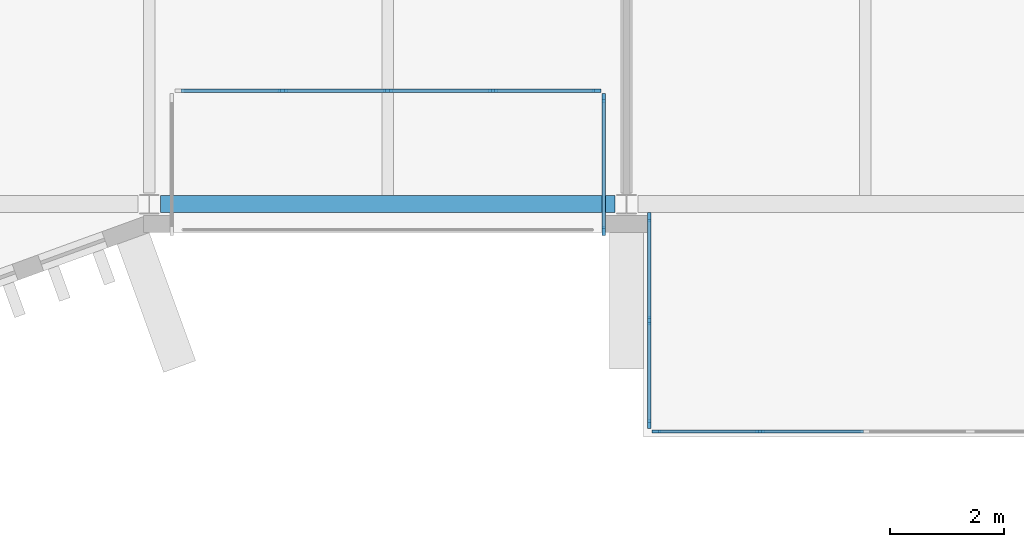
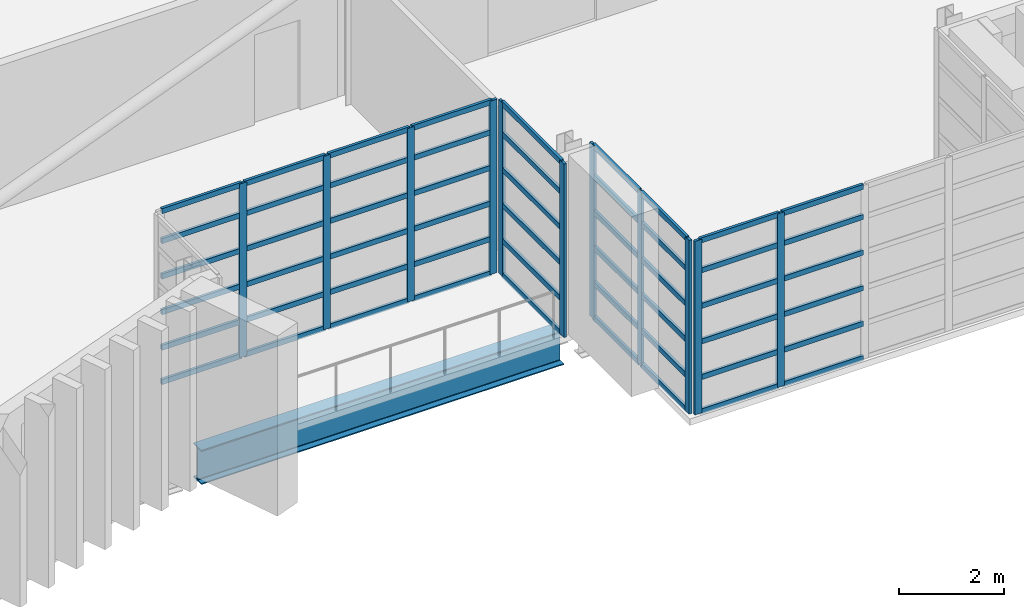
# One storey, part 36 of 96: 65 members, 1 beam, 4 elements without a shape of their own.
"""IFC4 building model written with IfcOpenShell, lengths in metres."""

import ifcopenshell
import ifcopenshell.guid

model = None  # the IFC model being written
_history = None  # IfcOwnerHistory: only IFC2X3 demands one
_inside = {}  # id of a spatial element -> (the spatial element, [elements in it])
_under = {}  # id of a project, library or spatial element -> (it, [spatial elements below it])
_declared = {}  # id of a project -> (the project, [libraries it declares])
_typed = {}  # id of a type object -> (the type object, [elements of that type])
_made_of = {}  # id of a material, layer set ... -> (it, [elements and type objects made of it])


def new_model(schema):
    """Start an empty IFC model of exactly this schema.

    Asked for "IFC4X3", IfcOpenShell would pick the latest addendum, in which some entities
    have other attributes; the version numbers below select the first issue.
    IFC2X3 requires an IfcOwnerHistory on every rooted entity: one is made here for all.
    """
    global model, _history
    if schema == "IFC4X3":
        model = ifcopenshell.file(schema_version=(4, 3, 0, 0))
    else:
        model = ifcopenshell.file(schema=schema)
    _inside.clear()
    _under.clear()
    _declared.clear()
    _typed.clear()
    _made_of.clear()
    _history = None
    if model.schema == "IFC2X3":
        org = make("IfcOrganization", Name="unknown")
        user = make(
            "IfcPersonAndOrganization",
            ThePerson=make("IfcPerson", FamilyName="unknown"),
            TheOrganization=org,
        )
        app = make(
            "IfcApplication",
            ApplicationDeveloper=org,
            Version="unknown",
            ApplicationFullName="unknown",
            ApplicationIdentifier="unknown",
        )
        _history = make(
            "IfcOwnerHistory",
            OwningUser=user,
            OwningApplication=app,
            ChangeAction="ADDED",
            CreationDate=0,
        )
    return model


def make(cls, **values):
    """One entity of the class cls with the attributes given. An attribute that is None is left unset."""
    return model.create_entity(
        cls, **{name: value for name, value in values.items() if value is not None}
    )


def rooted(cls, **values):
    """An entity with a GlobalId (a new one), such as an element, a storey or a relation."""
    return make(cls, GlobalId=ifcopenshell.guid.new(), OwnerHistory=_history, **values)


def si_unit(unit_type, name, prefix=None):
    """IfcSIUnit, for example si_unit("LENGTHUNIT", "METRE", prefix="MILLI")."""
    return make("IfcSIUnit", UnitType=unit_type, Prefix=prefix, Name=name)


def assignment(units):
    """IfcUnitAssignment: the units of a project."""
    return None if units is None else make("IfcUnitAssignment", Units=units)


def point(xyz):
    """IfcCartesianPoint."""
    return None if xyz is None else make("IfcCartesianPoint", Coordinates=xyz)


def direction(xyz):
    """IfcDirection."""
    return None if xyz is None else make("IfcDirection", DirectionRatios=xyz)


def frame(location, z_axis=None, x_axis=None):
    """IfcAxis2Placement3D, a coordinate frame: its origin and axes. An axis left out is left unset."""
    return make(
        "IfcAxis2Placement3D",
        Location=point(location),
        Axis=direction(z_axis),
        RefDirection=direction(x_axis),
    )


def frame_2d(location, x_axis=None):
    """IfcAxis2Placement2D, a coordinate frame in the plane: its origin and x axis."""
    return make(
        "IfcAxis2Placement2D", Location=point(location), RefDirection=direction(x_axis)
    )


def origin():
    """The frame at (0, 0, 0) with its axes left unset."""
    return frame((0.0, 0.0, 0.0))


def origin_2d():
    """The frame at (0, 0) in the plane with its x axis left unset."""
    return frame_2d((0.0, 0.0))


def place(relative_to, where):
    """IfcLocalPlacement: puts the frame where relative to a parent placement (None: the world)."""
    return make(
        "IfcLocalPlacement", PlacementRelTo=relative_to, RelativePlacement=where
    )


def context(
    kind, dimensions, precision=None, world=None, true_north=None, identifier=None
):
    """IfcGeometricRepresentationContext, for example the 3D "Model" context."""
    return make(
        "IfcGeometricRepresentationContext",
        ContextIdentifier=identifier,
        ContextType=kind,
        CoordinateSpaceDimension=dimensions,
        Precision=precision,
        WorldCoordinateSystem=world,
        TrueNorth=true_north,
    )


def subcontext(parent, identifier, kind, view, scale=None):
    """IfcGeometricRepresentationSubContext, for example "Body" below "Model"."""
    return make(
        "IfcGeometricRepresentationSubContext",
        ContextIdentifier=identifier,
        ContextType=kind,
        ParentContext=parent,
        TargetScale=scale,
        TargetView=view,
    )


def project(units=None, contexts=None):
    """IfcProject with its units and contexts."""
    return rooted(
        "IfcProject",
        Name="project",
        RepresentationContexts=contexts,
        UnitsInContext=assignment(units),
    )


def spatial(cls, under=None, at=None, **own):
    """A site, building, storey or space (cls), placed at a placement, below another one or the project."""
    s = rooted(cls, ObjectPlacement=at, **own)
    if under is not None:
        _under.setdefault(under.id(), (under, []))[1].append(s)
    return s


def profile(cls, at=None, kind="AREA", **sizes):
    """A parametric profile (cls). Its sizes go by their IFC names, for example OverallWidth=200.0."""
    return make(cls, ProfileType=kind, Position=at, **sizes)


def rectangle(**sizes):
    """IfcRectangleProfileDef."""
    return profile("IfcRectangleProfileDef", **sizes)


def i_section(**sizes):
    """IfcIShapeProfileDef."""
    return profile("IfcIShapeProfileDef", **sizes)


def extrude(swept, where, along, depth):
    """IfcExtrudedAreaSolid: the profile swept, set in the frame where, extruded along a direction by depth."""
    return make(
        "IfcExtrudedAreaSolid",
        SweptArea=swept,
        Position=where,
        ExtrudedDirection=direction(along),
        Depth=depth,
    )


def shape(context_of_items, identifier, shape_type, items):
    """IfcShapeRepresentation: the items that make up one representation, for example the "Body"."""
    return make(
        "IfcShapeRepresentation",
        ContextOfItems=context_of_items,
        RepresentationIdentifier=identifier,
        RepresentationType=shape_type,
        Items=items,
    )


def material(Name=None, Category=None):
    """IfcMaterial."""
    return make("IfcMaterial", Name=Name, Category=Category)


def layer(
    of_material, thickness, ventilated=None, Name=None, Category=None, Priority=None
):
    """IfcMaterialLayer: one layer of a wall or slab, of a material (None: an air gap)."""
    return make(
        "IfcMaterialLayer",
        Material=of_material,
        LayerThickness=thickness,
        IsVentilated=ventilated,
        Name=Name,
        Category=Category,
        Priority=Priority,
    )


def layer_set(layers, Name=None):
    """IfcMaterialLayerSet."""
    return make("IfcMaterialLayerSet", MaterialLayers=layers, LayerSetName=Name)


def material_profile(
    of_material, cross_section, Name=None, Category=None, Priority=None
):
    """IfcMaterialProfile: a cross section and its material."""
    return make(
        "IfcMaterialProfile",
        Name=Name,
        Material=of_material,
        Profile=cross_section,
        Priority=Priority,
        Category=Category,
    )


def profile_set(profiles, Name=None, composite=None):
    """IfcMaterialProfileSet."""
    return make(
        "IfcMaterialProfileSet",
        Name=Name,
        MaterialProfiles=profiles,
        CompositeProfile=composite,
    )


def made_of(thing, what):
    """Note that an element or type object is made of a material, layer set ...; save() writes the relation."""
    if what is not None:
        _made_of.setdefault(what.id(), (what, []))[1].append(thing)
    return thing


def type_object(cls, material=None, **own):
    """A type object (cls), such as IfcWallType, which elements share."""
    return made_of(rooted(cls, **own), material)


def element(
    cls,
    number,
    at=None,
    inside=None,
    cuts=None,
    type_object=None,
    material=None,
    context=None,
    identifier="Body",
    shape_type=None,
    held_by="IfcProductDefinitionShape",
    body=None,
    shapes=None,
    **own,
):
    """One element of the class cls, such as IfcWall. Its Tag is "e" and its number.

    at: its placement. inside: the storey or other place that contains it. cuts: it is an
    opening in that element (IfcRelVoidsElement). A single representation is given by context,
    identifier, shape_type and body (its items); several are given by shapes. held_by: the class
    of the entity that holds the representations. save() writes the other relations.
    """
    e = rooted(cls, Tag="e%d" % number, ObjectPlacement=at, **own)
    if body is not None:
        shapes = [shape(context, identifier, shape_type, body)]
    if shapes is not None:
        e.Representation = make(held_by, Representations=shapes)
    if inside is not None:
        _inside.setdefault(inside.id(), (inside, []))[1].append(e)
    if cuts is not None:
        rooted(
            "IfcRelVoidsElement", RelatingBuildingElement=cuts, RelatedOpeningElement=e
        )
    if type_object is not None:
        _typed.setdefault(type_object.id(), (type_object, []))[1].append(e)
    return made_of(e, material)


def aggregate(whole, parts):
    """IfcRelAggregates: a whole, such as a stair, and the parts it consists of."""
    return rooted("IfcRelAggregates", RelatingObject=whole, RelatedObjects=parts)


def save(model, path):
    """Write the relations noted so far, then the file.

    IfcRelAggregates (storeys below a building ...), IfcRelContainedInSpatialStructure (elements
    in a storey), IfcRelDefinesByType, IfcRelAssociatesMaterial and IfcRelDeclares: one each for
    every whole, place, type object, material and project.
    """
    for whole, parts in _under.values():
        aggregate(whole, parts)
    for where, things in _inside.values():
        rooted(
            "IfcRelContainedInSpatialStructure",
            RelatedElements=things,
            RelatingStructure=where,
        )
    for kind, things in _typed.values():
        rooted("IfcRelDefinesByType", RelatedObjects=things, RelatingType=kind)
    for what, things in _made_of.values():
        rooted("IfcRelAssociatesMaterial", RelatedObjects=things, RelatingMaterial=what)
    for by, libraries in _declared.values():
        rooted("IfcRelDeclares", RelatingContext=by, RelatedDefinitions=libraries)
    model.write(path)


model = new_model("IFC4")

# Units and contexts
model_context = context("Model", 3, precision=1e-05, world=origin(), true_north=direction((0.0, 1.0)))
body_context = subcontext(model_context, "Body", "Model", "MODEL_VIEW")
ifc_project = project(units=[si_unit("LENGTHUNIT", "METRE"), si_unit("AREAUNIT", "SQUARE_METRE"), si_unit("VOLUMEUNIT", "CUBIC_METRE"), si_unit("PLANEANGLEUNIT", "RADIAN"), si_unit("MASSUNIT", "GRAM", prefix="KILO")], contexts=[model_context])

# Site, building, storey
site_placement = place(None, origin())
site = spatial("IfcSite", under=ifc_project, at=site_placement, CompositionType="ELEMENT")
building_placement = place(site_placement, origin())
building = spatial("IfcBuilding", under=site, at=building_placement, Name="Cresset Court Congress Hotel", CompositionType="ELEMENT")
storey_placement = place(building_placement, frame((0.0, 0.0, 6.0)))
storey = spatial("IfcBuildingStorey", under=building, at=storey_placement, Name="L01", CompositionType="ELEMENT", Elevation=6.0)

# Curtain wall, members
ifc_material_1 = material(Name="Aluminium frame with double glazing", Category="aluminium")
ifc_layer = layer(ifc_material_1, 0.199951171875)
ifc_layer_set = layer_set([ifc_layer], Name="Glazed box curtain wall 1680 module")
curtain_wall_type = type_object("IfcCurtainWallType", Name="Glazed box curtain wall 1680 module", PredefinedType="NOTDEFINED", material=ifc_layer_set)
curtain_wall_1_placement = place(storey_placement, origin())
curtain_wall_1 = element("IfcCurtainWall", 1, at=curtain_wall_1_placement, inside=storey, type_object=curtain_wall_type, Name="Glazed box S0118 front", PredefinedType="NOTDEFINED")
ifc_material_2 = material(Name="Aluminium", Category="aluminium")
ifc_material_profile_1 = material_profile(ifc_material_2, rectangle(XDim=0.06005859375, YDim=0.159912109375, at=origin_2d()), Name="Box mullion 60x160")
ifc_profile_set_1 = profile_set([ifc_material_profile_1], Name="Aluminium")
member_type_1 = type_object("IfcMemberType", Name="Box mullion 60x160", PredefinedType="MULLION", material=ifc_profile_set_1)
member_1_placement = place(storey_placement, frame((136.75, 2.0, 0.0), z_axis=(0.0, 0.0, 1.0), x_axis=(0.0, 1.0, 0.0)))
member_1 = element("IfcMember", 2, at=member_1_placement, type_object=member_type_1, Name="B-X1 mullion 2", PredefinedType="MULLION", context=body_context, shape_type="SweptSolid", body=[
    extrude(rectangle(XDim=0.06005859375, YDim=0.159912109375, at=origin_2d()), origin(), (0.0, 0.0, 1.0), 4.050048828125),
])
member_2_placement = place(storey_placement, frame((138.60009765625, 2.0, 0.0), z_axis=(0.0, 0.0, 1.0), x_axis=(0.0, 1.0, 0.0)))
member_2 = element("IfcMember", 3, at=member_2_placement, type_object=member_type_1, Name="B-X1 mullion 3", PredefinedType="MULLION", context=body_context, shape_type="SweptSolid", body=[
    extrude(rectangle(XDim=0.06005859375, YDim=0.159912109375, at=origin_2d()), origin(), (0.0, 0.0, 1.0), 4.050048828125),
])
member_3_placement = place(storey_placement, frame((140.449951171875, 2.0, 0.0), z_axis=(0.0, 0.0, 1.0), x_axis=(0.0, 1.0, 0.0)))
member_3 = element("IfcMember", 4, at=member_3_placement, type_object=member_type_1, Name="B-X1 mullion 4", PredefinedType="MULLION", context=body_context, shape_type="SweptSolid", body=[
    extrude(rectangle(XDim=0.06005859375, YDim=0.159912109375, at=origin_2d()), origin(), (0.0, 0.0, 1.0), 4.050048828125),
])
member_4_placement = place(storey_placement, frame((142.27001953125, 2.0, 0.0), z_axis=(0.0, 0.0, 1.0), x_axis=(0.0, 1.0, 0.0)))
member_4 = element("IfcMember", 5, at=member_4_placement, type_object=member_type_1, Name="B-X1 mullion 5", PredefinedType="MULLION", context=body_context, shape_type="SweptSolid", body=[
    extrude(rectangle(XDim=0.06005859375, YDim=0.159912109375, at=origin_2d()), origin(), (0.0, 0.0, 1.0), 4.050048828125),
])

curtain_wall_2_placement = place(storey_placement, origin())
curtain_wall_2 = element("IfcCurtainWall", 6, at=curtain_wall_2_placement, inside=storey, type_object=curtain_wall_type, Name="Glazed box S0118 side", PredefinedType="NOTDEFINED")
member_5_placement = place(storey_placement, frame((142.39990234375, -0.469970703125, 0.0), z_axis=(0.0, 0.0, 1.0), x_axis=(-1.0, 0.0, 0.0)))
member_5 = element("IfcMember", 7, at=member_5_placement, type_object=member_type_1, Name="B-X1 mullion 1", PredefinedType="MULLION", context=body_context, shape_type="SweptSolid", body=[
    extrude(rectangle(XDim=0.06005859375, YDim=0.159912109375, at=origin_2d()), origin(), (0.0, 0.0, 1.0), 4.050048828125),
])
member_6_placement = place(storey_placement, frame((142.39990234375, 1.8701171875, 0.0), z_axis=(0.0, 0.0, 1.0), x_axis=(-1.0, 0.0, 0.0)))
member_6 = element("IfcMember", 8, at=member_6_placement, type_object=member_type_1, Name="B-X1 mullion 2", PredefinedType="MULLION", context=body_context, shape_type="SweptSolid", body=[
    extrude(rectangle(XDim=0.06005859375, YDim=0.159912109375, at=origin_2d()), origin(), (0.0, 0.0, 1.0), 4.050048828125),
])

curtain_wall_3_placement = place(storey_placement, origin())
curtain_wall_3 = element("IfcCurtainWall", 9, at=curtain_wall_3_placement, inside=storey, type_object=curtain_wall_type, Name="Glazed box S0121 front", PredefinedType="NOTDEFINED")
member_7_placement = place(storey_placement, frame((143.330078125, -4.0, 0.0), z_axis=(0.0, 0.0, 1.0), x_axis=(0.0, 1.0, 0.0)))
member_7 = element("IfcMember", 10, at=member_7_placement, type_object=member_type_1, Name="B-X1 mullion 1", PredefinedType="MULLION", context=body_context, shape_type="SweptSolid", body=[
    extrude(rectangle(XDim=0.06005859375, YDim=0.159912109375, at=origin_2d()), origin(), (0.0, 0.0, 1.0), 4.050048828125),
])
member_8_placement = place(storey_placement, frame((145.14990234375, -4.0, 0.0), z_axis=(0.0, 0.0, 1.0), x_axis=(0.0, 1.0, 0.0)))
member_8 = element("IfcMember", 11, at=member_8_placement, type_object=member_type_1, Name="B-X1 mullion 2", PredefinedType="MULLION", context=body_context, shape_type="SweptSolid", body=[
    extrude(rectangle(XDim=0.06005859375, YDim=0.159912109375, at=origin_2d()), origin(), (0.0, 0.0, 1.0), 4.050048828125),
])

curtain_wall_4_placement = place(storey_placement, origin())
curtain_wall_4 = element("IfcCurtainWall", 12, at=curtain_wall_4_placement, inside=storey, type_object=curtain_wall_type, Name="Glazed box S0121 side", PredefinedType="NOTDEFINED")
member_9_placement = place(storey_placement, frame((143.199951171875, -0.22998046875, 0.0), z_axis=(0.0, 0.0, 1.0), x_axis=(1.0, 0.0, 0.0)))
member_9 = element("IfcMember", 13, at=member_9_placement, type_object=member_type_1, Name="B-X1 mullion 1", PredefinedType="MULLION", context=body_context, shape_type="SweptSolid", body=[
    extrude(rectangle(XDim=0.06005859375, YDim=0.159912109375, at=origin_2d()), origin(), (0.0, 0.0, 1.0), 4.050048828125),
])
member_10_placement = place(storey_placement, frame((143.199951171875, -2.050048828125, 0.0), z_axis=(0.0, 0.0, 1.0), x_axis=(1.0, 0.0, 0.0)))
member_10 = element("IfcMember", 14, at=member_10_placement, type_object=member_type_1, Name="B-X1 mullion 2", PredefinedType="MULLION", context=body_context, shape_type="SweptSolid", body=[
    extrude(rectangle(XDim=0.06005859375, YDim=0.159912109375, at=origin_2d()), origin(), (0.0, 0.0, 1.0), 4.050048828125),
])
member_11_placement = place(storey_placement, frame((143.199951171875, -3.8701171875, 0.0), z_axis=(0.0, 0.0, 1.0), x_axis=(1.0, 0.0, 0.0)))
member_11 = element("IfcMember", 15, at=member_11_placement, type_object=member_type_1, Name="B-X1 mullion 3", PredefinedType="MULLION", context=body_context, shape_type="SweptSolid", body=[
    extrude(rectangle(XDim=0.06005859375, YDim=0.159912109375, at=origin_2d()), origin(), (0.0, 0.0, 1.0), 4.050048828125),
])

# Member
ifc_material_3 = material(Name="Aluminium", Category="aluminium")
ifc_material_profile_2 = material_profile(ifc_material_3, rectangle(XDim=0.06005859375, YDim=0.1201171875, at=origin_2d()), Name="Box transom 60x120")
ifc_profile_set_2 = profile_set([ifc_material_profile_2], Name="Aluminium")
member_type_2 = type_object("IfcMemberType", Name="Box transom 60x120", PredefinedType="USERDEFINED", material=ifc_profile_set_2)
member_12_placement = place(storey_placement, frame((134.9599609375, 2.0, 0.030029296875), z_axis=(1.0, 0.0, 0.0), x_axis=(0.0, 1.0, 0.0)))
member_12 = element("IfcMember", 16, at=member_12_placement, type_object=member_type_2, Name="B-X1 transom 1.1", ObjectType="TRANSOM", PredefinedType="USERDEFINED", context=body_context, shape_type="SweptSolid", body=[
    extrude(rectangle(XDim=0.06005859375, YDim=0.1201171875, at=origin_2d()), origin(), (0.0, 0.0, 1.0), 1.760009765625),
])

member_13_placement = place(storey_placement, frame((134.9599609375, 2.0, 0.830078125), z_axis=(1.0, 0.0, 0.0), x_axis=(0.0, 1.0, 0.0)))
member_13 = element("IfcMember", 17, at=member_13_placement, type_object=member_type_2, Name="B-X1 transom 1.2", ObjectType="TRANSOM", PredefinedType="USERDEFINED", context=body_context, shape_type="SweptSolid", body=[
    extrude(rectangle(XDim=0.06005859375, YDim=0.1201171875, at=origin_2d()), origin(), (0.0, 0.0, 1.0), 1.760009765625),
])

member_14_placement = place(storey_placement, frame((134.9599609375, 2.0, 1.659912109375), z_axis=(1.0, 0.0, 0.0), x_axis=(0.0, 1.0, 0.0)))
member_14 = element("IfcMember", 18, at=member_14_placement, type_object=member_type_2, Name="B-X1 transom 1.3", ObjectType="TRANSOM", PredefinedType="USERDEFINED", context=body_context, shape_type="SweptSolid", body=[
    extrude(rectangle(XDim=0.06005859375, YDim=0.1201171875, at=origin_2d()), origin(), (0.0, 0.0, 1.0), 1.760009765625),
])

member_15_placement = place(storey_placement, frame((134.9599609375, 2.0, 2.489990234375), z_axis=(1.0, 0.0, 0.0), x_axis=(0.0, 1.0, 0.0)))
member_15 = element("IfcMember", 19, at=member_15_placement, type_object=member_type_2, Name="B-X1 transom 1.4", ObjectType="TRANSOM", PredefinedType="USERDEFINED", context=body_context, shape_type="SweptSolid", body=[
    extrude(rectangle(XDim=0.06005859375, YDim=0.1201171875, at=origin_2d()), origin(), (0.0, 0.0, 1.0), 1.760009765625),
])

member_16_placement = place(storey_placement, frame((134.9599609375, 2.0, 3.320068359375), z_axis=(1.0, 0.0, 0.0), x_axis=(0.0, 1.0, 0.0)))
member_16 = element("IfcMember", 20, at=member_16_placement, type_object=member_type_2, Name="B-X1 transom 1.5", ObjectType="TRANSOM", PredefinedType="USERDEFINED", context=body_context, shape_type="SweptSolid", body=[
    extrude(rectangle(XDim=0.06005859375, YDim=0.1201171875, at=origin_2d()), origin(), (0.0, 0.0, 1.0), 1.760009765625),
])

member_17_placement = place(storey_placement, frame((134.9599609375, 2.0, 4.02001953125), z_axis=(1.0, 0.0, 0.0), x_axis=(0.0, 1.0, 0.0)))
member_17 = element("IfcMember", 21, at=member_17_placement, type_object=member_type_2, Name="B-X1 transom 1.6", ObjectType="TRANSOM", PredefinedType="USERDEFINED", context=body_context, shape_type="SweptSolid", body=[
    extrude(rectangle(XDim=0.06005859375, YDim=0.1201171875, at=origin_2d()), origin(), (0.0, 0.0, 1.0), 1.760009765625),
])

member_18_placement = place(storey_placement, frame((136.780029296875, 2.0, 0.030029296875), z_axis=(1.0, 0.0, 0.0), x_axis=(0.0, 1.0, 0.0)))
member_18 = element("IfcMember", 22, at=member_18_placement, type_object=member_type_2, Name="B-X1 transom 2.1", ObjectType="TRANSOM", PredefinedType="USERDEFINED", context=body_context, shape_type="SweptSolid", body=[
    extrude(rectangle(XDim=0.06005859375, YDim=0.1201171875, at=origin_2d()), origin(), (0.0, 0.0, 1.0), 1.7900390625),
])

member_19_placement = place(storey_placement, frame((136.780029296875, 2.0, 0.830078125), z_axis=(1.0, 0.0, 0.0), x_axis=(0.0, 1.0, 0.0)))
member_19 = element("IfcMember", 23, at=member_19_placement, type_object=member_type_2, Name="B-X1 transom 2.2", ObjectType="TRANSOM", PredefinedType="USERDEFINED", context=body_context, shape_type="SweptSolid", body=[
    extrude(rectangle(XDim=0.06005859375, YDim=0.1201171875, at=origin_2d()), origin(), (0.0, 0.0, 1.0), 1.7900390625),
])

member_20_placement = place(storey_placement, frame((136.780029296875, 2.0, 1.659912109375), z_axis=(1.0, 0.0, 0.0), x_axis=(0.0, 1.0, 0.0)))
member_20 = element("IfcMember", 24, at=member_20_placement, type_object=member_type_2, Name="B-X1 transom 2.3", ObjectType="TRANSOM", PredefinedType="USERDEFINED", context=body_context, shape_type="SweptSolid", body=[
    extrude(rectangle(XDim=0.06005859375, YDim=0.1201171875, at=origin_2d()), origin(), (0.0, 0.0, 1.0), 1.7900390625),
])

member_21_placement = place(storey_placement, frame((136.780029296875, 2.0, 2.489990234375), z_axis=(1.0, 0.0, 0.0), x_axis=(0.0, 1.0, 0.0)))
member_21 = element("IfcMember", 25, at=member_21_placement, type_object=member_type_2, Name="B-X1 transom 2.4", ObjectType="TRANSOM", PredefinedType="USERDEFINED", context=body_context, shape_type="SweptSolid", body=[
    extrude(rectangle(XDim=0.06005859375, YDim=0.1201171875, at=origin_2d()), origin(), (0.0, 0.0, 1.0), 1.7900390625),
])

member_22_placement = place(storey_placement, frame((136.780029296875, 2.0, 3.320068359375), z_axis=(1.0, 0.0, 0.0), x_axis=(0.0, 1.0, 0.0)))
member_22 = element("IfcMember", 26, at=member_22_placement, type_object=member_type_2, Name="B-X1 transom 2.5", ObjectType="TRANSOM", PredefinedType="USERDEFINED", context=body_context, shape_type="SweptSolid", body=[
    extrude(rectangle(XDim=0.06005859375, YDim=0.1201171875, at=origin_2d()), origin(), (0.0, 0.0, 1.0), 1.7900390625),
])

member_23_placement = place(storey_placement, frame((136.780029296875, 2.0, 4.02001953125), z_axis=(1.0, 0.0, 0.0), x_axis=(0.0, 1.0, 0.0)))
member_23 = element("IfcMember", 27, at=member_23_placement, type_object=member_type_2, Name="B-X1 transom 2.6", ObjectType="TRANSOM", PredefinedType="USERDEFINED", context=body_context, shape_type="SweptSolid", body=[
    extrude(rectangle(XDim=0.06005859375, YDim=0.1201171875, at=origin_2d()), origin(), (0.0, 0.0, 1.0), 1.7900390625),
])

member_24_placement = place(storey_placement, frame((138.6298828125, 2.0, 0.030029296875), z_axis=(1.0, 0.0, 0.0), x_axis=(0.0, 1.0, 0.0)))
member_24 = element("IfcMember", 28, at=member_24_placement, type_object=member_type_2, Name="B-X1 transom 3.1", ObjectType="TRANSOM", PredefinedType="USERDEFINED", context=body_context, shape_type="SweptSolid", body=[
    extrude(rectangle(XDim=0.06005859375, YDim=0.1201171875, at=origin_2d()), origin(), (0.0, 0.0, 1.0), 1.7900390625),
])

member_25_placement = place(storey_placement, frame((138.6298828125, 2.0, 0.830078125), z_axis=(1.0, 0.0, 0.0), x_axis=(0.0, 1.0, 0.0)))
member_25 = element("IfcMember", 29, at=member_25_placement, type_object=member_type_2, Name="B-X1 transom 3.2", ObjectType="TRANSOM", PredefinedType="USERDEFINED", context=body_context, shape_type="SweptSolid", body=[
    extrude(rectangle(XDim=0.06005859375, YDim=0.1201171875, at=origin_2d()), origin(), (0.0, 0.0, 1.0), 1.7900390625),
])

member_26_placement = place(storey_placement, frame((138.6298828125, 2.0, 1.659912109375), z_axis=(1.0, 0.0, 0.0), x_axis=(0.0, 1.0, 0.0)))
member_26 = element("IfcMember", 30, at=member_26_placement, type_object=member_type_2, Name="B-X1 transom 3.3", ObjectType="TRANSOM", PredefinedType="USERDEFINED", context=body_context, shape_type="SweptSolid", body=[
    extrude(rectangle(XDim=0.06005859375, YDim=0.1201171875, at=origin_2d()), origin(), (0.0, 0.0, 1.0), 1.7900390625),
])

member_27_placement = place(storey_placement, frame((138.6298828125, 2.0, 2.489990234375), z_axis=(1.0, 0.0, 0.0), x_axis=(0.0, 1.0, 0.0)))
member_27 = element("IfcMember", 31, at=member_27_placement, type_object=member_type_2, Name="B-X1 transom 3.4", ObjectType="TRANSOM", PredefinedType="USERDEFINED", context=body_context, shape_type="SweptSolid", body=[
    extrude(rectangle(XDim=0.06005859375, YDim=0.1201171875, at=origin_2d()), origin(), (0.0, 0.0, 1.0), 1.7900390625),
])

member_28_placement = place(storey_placement, frame((138.6298828125, 2.0, 3.320068359375), z_axis=(1.0, 0.0, 0.0), x_axis=(0.0, 1.0, 0.0)))
member_28 = element("IfcMember", 32, at=member_28_placement, type_object=member_type_2, Name="B-X1 transom 3.5", ObjectType="TRANSOM", PredefinedType="USERDEFINED", context=body_context, shape_type="SweptSolid", body=[
    extrude(rectangle(XDim=0.06005859375, YDim=0.1201171875, at=origin_2d()), origin(), (0.0, 0.0, 1.0), 1.7900390625),
])

member_29_placement = place(storey_placement, frame((138.6298828125, 2.0, 4.02001953125), z_axis=(1.0, 0.0, 0.0), x_axis=(0.0, 1.0, 0.0)))
member_29 = element("IfcMember", 33, at=member_29_placement, type_object=member_type_2, Name="B-X1 transom 3.6", ObjectType="TRANSOM", PredefinedType="USERDEFINED", context=body_context, shape_type="SweptSolid", body=[
    extrude(rectangle(XDim=0.06005859375, YDim=0.1201171875, at=origin_2d()), origin(), (0.0, 0.0, 1.0), 1.7900390625),
])

member_30_placement = place(storey_placement, frame((140.47998046875, 2.0, 0.030029296875), z_axis=(1.0, 0.0, 0.0), x_axis=(0.0, 1.0, 0.0)))
member_30 = element("IfcMember", 34, at=member_30_placement, type_object=member_type_2, Name="B-X1 transom 4.1", ObjectType="TRANSOM", PredefinedType="USERDEFINED", context=body_context, shape_type="SweptSolid", body=[
    extrude(rectangle(XDim=0.06005859375, YDim=0.1201171875, at=origin_2d()), origin(), (0.0, 0.0, 1.0), 1.760009765625),
])

member_31_placement = place(storey_placement, frame((140.47998046875, 2.0, 0.830078125), z_axis=(1.0, 0.0, 0.0), x_axis=(0.0, 1.0, 0.0)))
member_31 = element("IfcMember", 35, at=member_31_placement, type_object=member_type_2, Name="B-X1 transom 4.2", ObjectType="TRANSOM", PredefinedType="USERDEFINED", context=body_context, shape_type="SweptSolid", body=[
    extrude(rectangle(XDim=0.06005859375, YDim=0.1201171875, at=origin_2d()), origin(), (0.0, 0.0, 1.0), 1.760009765625),
])

member_32_placement = place(storey_placement, frame((140.47998046875, 2.0, 1.659912109375), z_axis=(1.0, 0.0, 0.0), x_axis=(0.0, 1.0, 0.0)))
member_32 = element("IfcMember", 36, at=member_32_placement, type_object=member_type_2, Name="B-X1 transom 4.3", ObjectType="TRANSOM", PredefinedType="USERDEFINED", context=body_context, shape_type="SweptSolid", body=[
    extrude(rectangle(XDim=0.06005859375, YDim=0.1201171875, at=origin_2d()), origin(), (0.0, 0.0, 1.0), 1.760009765625),
])

member_33_placement = place(storey_placement, frame((140.47998046875, 2.0, 2.489990234375), z_axis=(1.0, 0.0, 0.0), x_axis=(0.0, 1.0, 0.0)))
member_33 = element("IfcMember", 37, at=member_33_placement, type_object=member_type_2, Name="B-X1 transom 4.4", ObjectType="TRANSOM", PredefinedType="USERDEFINED", context=body_context, shape_type="SweptSolid", body=[
    extrude(rectangle(XDim=0.06005859375, YDim=0.1201171875, at=origin_2d()), origin(), (0.0, 0.0, 1.0), 1.760009765625),
])

member_34_placement = place(storey_placement, frame((140.47998046875, 2.0, 3.320068359375), z_axis=(1.0, 0.0, 0.0), x_axis=(0.0, 1.0, 0.0)))
member_34 = element("IfcMember", 38, at=member_34_placement, type_object=member_type_2, Name="B-X1 transom 4.5", ObjectType="TRANSOM", PredefinedType="USERDEFINED", context=body_context, shape_type="SweptSolid", body=[
    extrude(rectangle(XDim=0.06005859375, YDim=0.1201171875, at=origin_2d()), origin(), (0.0, 0.0, 1.0), 1.760009765625),
])

member_35_placement = place(storey_placement, frame((140.47998046875, 2.0, 4.02001953125), z_axis=(1.0, 0.0, 0.0), x_axis=(0.0, 1.0, 0.0)))
member_35 = element("IfcMember", 39, at=member_35_placement, type_object=member_type_2, Name="B-X1 transom 4.6", ObjectType="TRANSOM", PredefinedType="USERDEFINED", context=body_context, shape_type="SweptSolid", body=[
    extrude(rectangle(XDim=0.06005859375, YDim=0.1201171875, at=origin_2d()), origin(), (0.0, 0.0, 1.0), 1.760009765625),
])

aggregate(curtain_wall_1, [member_1, member_2, member_3, member_4, member_12, member_13, member_14, member_15, member_16, member_17, member_18, member_19, member_20, member_21, member_22, member_23, member_24, member_25, member_26, member_27, member_28, member_29, member_30, member_31, member_32, member_33, member_34, member_35])

member_36_placement = place(storey_placement, frame((142.39990234375, -0.43994140625, 0.030029296875), z_axis=(0.0, 1.0, 0.0), x_axis=(-1.0, 0.0, 0.0)))
member_36 = element("IfcMember", 40, at=member_36_placement, type_object=member_type_2, Name="B-X1 transom 1.1", ObjectType="TRANSOM", PredefinedType="USERDEFINED", context=body_context, shape_type="SweptSolid", body=[
    extrude(rectangle(XDim=0.06005859375, YDim=0.1201171875, at=origin_2d()), origin(), (0.0, 0.0, 1.0), 2.280029296875),
])

member_37_placement = place(storey_placement, frame((142.39990234375, -0.43994140625, 0.830078125), z_axis=(0.0, 1.0, 0.0), x_axis=(-1.0, 0.0, 0.0)))
member_37 = element("IfcMember", 41, at=member_37_placement, type_object=member_type_2, Name="B-X1 transom 1.2", ObjectType="TRANSOM", PredefinedType="USERDEFINED", context=body_context, shape_type="SweptSolid", body=[
    extrude(rectangle(XDim=0.06005859375, YDim=0.1201171875, at=origin_2d()), origin(), (0.0, 0.0, 1.0), 2.280029296875),
])

member_38_placement = place(storey_placement, frame((142.39990234375, -0.43994140625, 1.659912109375), z_axis=(0.0, 1.0, 0.0), x_axis=(-1.0, 0.0, 0.0)))
member_38 = element("IfcMember", 42, at=member_38_placement, type_object=member_type_2, Name="B-X1 transom 1.3", ObjectType="TRANSOM", PredefinedType="USERDEFINED", context=body_context, shape_type="SweptSolid", body=[
    extrude(rectangle(XDim=0.06005859375, YDim=0.1201171875, at=origin_2d()), origin(), (0.0, 0.0, 1.0), 2.280029296875),
])

member_39_placement = place(storey_placement, frame((142.39990234375, -0.43994140625, 2.489990234375), z_axis=(0.0, 1.0, 0.0), x_axis=(-1.0, 0.0, 0.0)))
member_39 = element("IfcMember", 43, at=member_39_placement, type_object=member_type_2, Name="B-X1 transom 1.4", ObjectType="TRANSOM", PredefinedType="USERDEFINED", context=body_context, shape_type="SweptSolid", body=[
    extrude(rectangle(XDim=0.06005859375, YDim=0.1201171875, at=origin_2d()), origin(), (0.0, 0.0, 1.0), 2.280029296875),
])

member_40_placement = place(storey_placement, frame((142.39990234375, -0.43994140625, 3.320068359375), z_axis=(0.0, 1.0, 0.0), x_axis=(-1.0, 0.0, 0.0)))
member_40 = element("IfcMember", 44, at=member_40_placement, type_object=member_type_2, Name="B-X1 transom 1.5", ObjectType="TRANSOM", PredefinedType="USERDEFINED", context=body_context, shape_type="SweptSolid", body=[
    extrude(rectangle(XDim=0.06005859375, YDim=0.1201171875, at=origin_2d()), origin(), (0.0, 0.0, 1.0), 2.280029296875),
])

member_41_placement = place(storey_placement, frame((142.39990234375, -0.43994140625, 4.02001953125), z_axis=(0.0, 1.0, 0.0), x_axis=(-1.0, 0.0, 0.0)))
member_41 = element("IfcMember", 45, at=member_41_placement, type_object=member_type_2, Name="B-X1 transom 1.6", ObjectType="TRANSOM", PredefinedType="USERDEFINED", context=body_context, shape_type="SweptSolid", body=[
    extrude(rectangle(XDim=0.06005859375, YDim=0.1201171875, at=origin_2d()), origin(), (0.0, 0.0, 1.0), 2.280029296875),
])

aggregate(curtain_wall_2, [member_5, member_6, member_36, member_37, member_38, member_39, member_40, member_41])

member_42_placement = place(storey_placement, frame((143.360107421875, -4.0, 0.030029296875), z_axis=(1.0, 0.0, 0.0), x_axis=(0.0, 1.0, 0.0)))
member_42 = element("IfcMember", 46, at=member_42_placement, type_object=member_type_2, Name="B-X1 transom 1.1", ObjectType="TRANSOM", PredefinedType="USERDEFINED", context=body_context, shape_type="SweptSolid", body=[
    extrude(rectangle(XDim=0.06005859375, YDim=0.1201171875, at=origin_2d()), origin(), (0.0, 0.0, 1.0), 1.760009765625),
])

member_43_placement = place(storey_placement, frame((143.360107421875, -4.0, 0.830078125), z_axis=(1.0, 0.0, 0.0), x_axis=(0.0, 1.0, 0.0)))
member_43 = element("IfcMember", 47, at=member_43_placement, type_object=member_type_2, Name="B-X1 transom 1.2", ObjectType="TRANSOM", PredefinedType="USERDEFINED", context=body_context, shape_type="SweptSolid", body=[
    extrude(rectangle(XDim=0.06005859375, YDim=0.1201171875, at=origin_2d()), origin(), (0.0, 0.0, 1.0), 1.760009765625),
])

member_44_placement = place(storey_placement, frame((143.360107421875, -4.0, 1.659912109375), z_axis=(1.0, 0.0, 0.0), x_axis=(0.0, 1.0, 0.0)))
member_44 = element("IfcMember", 48, at=member_44_placement, type_object=member_type_2, Name="B-X1 transom 1.3", ObjectType="TRANSOM", PredefinedType="USERDEFINED", context=body_context, shape_type="SweptSolid", body=[
    extrude(rectangle(XDim=0.06005859375, YDim=0.1201171875, at=origin_2d()), origin(), (0.0, 0.0, 1.0), 1.760009765625),
])

member_45_placement = place(storey_placement, frame((143.360107421875, -4.0, 2.489990234375), z_axis=(1.0, 0.0, 0.0), x_axis=(0.0, 1.0, 0.0)))
member_45 = element("IfcMember", 49, at=member_45_placement, type_object=member_type_2, Name="B-X1 transom 1.4", ObjectType="TRANSOM", PredefinedType="USERDEFINED", context=body_context, shape_type="SweptSolid", body=[
    extrude(rectangle(XDim=0.06005859375, YDim=0.1201171875, at=origin_2d()), origin(), (0.0, 0.0, 1.0), 1.760009765625),
])

member_46_placement = place(storey_placement, frame((143.360107421875, -4.0, 3.320068359375), z_axis=(1.0, 0.0, 0.0), x_axis=(0.0, 1.0, 0.0)))
member_46 = element("IfcMember", 50, at=member_46_placement, type_object=member_type_2, Name="B-X1 transom 1.5", ObjectType="TRANSOM", PredefinedType="USERDEFINED", context=body_context, shape_type="SweptSolid", body=[
    extrude(rectangle(XDim=0.06005859375, YDim=0.1201171875, at=origin_2d()), origin(), (0.0, 0.0, 1.0), 1.760009765625),
])

member_47_placement = place(storey_placement, frame((143.360107421875, -4.0, 4.02001953125), z_axis=(1.0, 0.0, 0.0), x_axis=(0.0, 1.0, 0.0)))
member_47 = element("IfcMember", 51, at=member_47_placement, type_object=member_type_2, Name="B-X1 transom 1.6", ObjectType="TRANSOM", PredefinedType="USERDEFINED", context=body_context, shape_type="SweptSolid", body=[
    extrude(rectangle(XDim=0.06005859375, YDim=0.1201171875, at=origin_2d()), origin(), (0.0, 0.0, 1.0), 1.760009765625),
])

member_48_placement = place(storey_placement, frame((145.179931640625, -4.0, 0.030029296875), z_axis=(1.0, 0.0, 0.0), x_axis=(0.0, 1.0, 0.0)))
member_48 = element("IfcMember", 52, at=member_48_placement, type_object=member_type_2, Name="B-X1 transom 2.1", ObjectType="TRANSOM", PredefinedType="USERDEFINED", context=body_context, shape_type="SweptSolid", body=[
    extrude(rectangle(XDim=0.06005859375, YDim=0.1201171875, at=origin_2d()), origin(), (0.0, 0.0, 1.0), 1.7900390625),
])

member_49_placement = place(storey_placement, frame((145.179931640625, -4.0, 0.830078125), z_axis=(1.0, 0.0, 0.0), x_axis=(0.0, 1.0, 0.0)))
member_49 = element("IfcMember", 53, at=member_49_placement, type_object=member_type_2, Name="B-X1 transom 2.2", ObjectType="TRANSOM", PredefinedType="USERDEFINED", context=body_context, shape_type="SweptSolid", body=[
    extrude(rectangle(XDim=0.06005859375, YDim=0.1201171875, at=origin_2d()), origin(), (0.0, 0.0, 1.0), 1.7900390625),
])

member_50_placement = place(storey_placement, frame((145.179931640625, -4.0, 1.659912109375), z_axis=(1.0, 0.0, 0.0), x_axis=(0.0, 1.0, 0.0)))
member_50 = element("IfcMember", 54, at=member_50_placement, type_object=member_type_2, Name="B-X1 transom 2.3", ObjectType="TRANSOM", PredefinedType="USERDEFINED", context=body_context, shape_type="SweptSolid", body=[
    extrude(rectangle(XDim=0.06005859375, YDim=0.1201171875, at=origin_2d()), origin(), (0.0, 0.0, 1.0), 1.7900390625),
])

member_51_placement = place(storey_placement, frame((145.179931640625, -4.0, 2.489990234375), z_axis=(1.0, 0.0, 0.0), x_axis=(0.0, 1.0, 0.0)))
member_51 = element("IfcMember", 55, at=member_51_placement, type_object=member_type_2, Name="B-X1 transom 2.4", ObjectType="TRANSOM", PredefinedType="USERDEFINED", context=body_context, shape_type="SweptSolid", body=[
    extrude(rectangle(XDim=0.06005859375, YDim=0.1201171875, at=origin_2d()), origin(), (0.0, 0.0, 1.0), 1.7900390625),
])

member_52_placement = place(storey_placement, frame((145.179931640625, -4.0, 3.320068359375), z_axis=(1.0, 0.0, 0.0), x_axis=(0.0, 1.0, 0.0)))
member_52 = element("IfcMember", 56, at=member_52_placement, type_object=member_type_2, Name="B-X1 transom 2.5", ObjectType="TRANSOM", PredefinedType="USERDEFINED", context=body_context, shape_type="SweptSolid", body=[
    extrude(rectangle(XDim=0.06005859375, YDim=0.1201171875, at=origin_2d()), origin(), (0.0, 0.0, 1.0), 1.7900390625),
])

member_53_placement = place(storey_placement, frame((145.179931640625, -4.0, 4.02001953125), z_axis=(1.0, 0.0, 0.0), x_axis=(0.0, 1.0, 0.0)))
member_53 = element("IfcMember", 57, at=member_53_placement, type_object=member_type_2, Name="B-X1 transom 2.6", ObjectType="TRANSOM", PredefinedType="USERDEFINED", context=body_context, shape_type="SweptSolid", body=[
    extrude(rectangle(XDim=0.06005859375, YDim=0.1201171875, at=origin_2d()), origin(), (0.0, 0.0, 1.0), 1.7900390625),
])

aggregate(curtain_wall_3, [member_7, member_8, member_42, member_43, member_44, member_45, member_46, member_47, member_48, member_49, member_50, member_51, member_52, member_53])

member_54_placement = place(storey_placement, frame((143.199951171875, -0.260009765625, 0.030029296875), z_axis=(0.0, -1.0, 0.0), x_axis=(1.0, 0.0, 0.0)))
member_54 = element("IfcMember", 58, at=member_54_placement, type_object=member_type_2, Name="B-X1 transom 1.1", ObjectType="TRANSOM", PredefinedType="USERDEFINED", context=body_context, shape_type="SweptSolid", body=[
    extrude(rectangle(XDim=0.06005859375, YDim=0.1201171875, at=origin_2d()), origin(), (0.0, 0.0, 1.0), 1.760009765625),
])

member_55_placement = place(storey_placement, frame((143.199951171875, -0.260009765625, 0.830078125), z_axis=(0.0, -1.0, 0.0), x_axis=(1.0, 0.0, 0.0)))
member_55 = element("IfcMember", 59, at=member_55_placement, type_object=member_type_2, Name="B-X1 transom 1.2", ObjectType="TRANSOM", PredefinedType="USERDEFINED", context=body_context, shape_type="SweptSolid", body=[
    extrude(rectangle(XDim=0.06005859375, YDim=0.1201171875, at=origin_2d()), origin(), (0.0, 0.0, 1.0), 1.760009765625),
])

member_56_placement = place(storey_placement, frame((143.199951171875, -0.260009765625, 1.659912109375), z_axis=(0.0, -1.0, 0.0), x_axis=(1.0, 0.0, 0.0)))
member_56 = element("IfcMember", 60, at=member_56_placement, type_object=member_type_2, Name="B-X1 transom 1.3", ObjectType="TRANSOM", PredefinedType="USERDEFINED", context=body_context, shape_type="SweptSolid", body=[
    extrude(rectangle(XDim=0.06005859375, YDim=0.1201171875, at=origin_2d()), origin(), (0.0, 0.0, 1.0), 1.760009765625),
])

member_57_placement = place(storey_placement, frame((143.199951171875, -0.260009765625, 2.489990234375), z_axis=(0.0, -1.0, 0.0), x_axis=(1.0, 0.0, 0.0)))
member_57 = element("IfcMember", 61, at=member_57_placement, type_object=member_type_2, Name="B-X1 transom 1.4", ObjectType="TRANSOM", PredefinedType="USERDEFINED", context=body_context, shape_type="SweptSolid", body=[
    extrude(rectangle(XDim=0.06005859375, YDim=0.1201171875, at=origin_2d()), origin(), (0.0, 0.0, 1.0), 1.760009765625),
])

member_58_placement = place(storey_placement, frame((143.199951171875, -0.260009765625, 3.320068359375), z_axis=(0.0, -1.0, 0.0), x_axis=(1.0, 0.0, 0.0)))
member_58 = element("IfcMember", 62, at=member_58_placement, type_object=member_type_2, Name="B-X1 transom 1.5", ObjectType="TRANSOM", PredefinedType="USERDEFINED", context=body_context, shape_type="SweptSolid", body=[
    extrude(rectangle(XDim=0.06005859375, YDim=0.1201171875, at=origin_2d()), origin(), (0.0, 0.0, 1.0), 1.760009765625),
])

member_59_placement = place(storey_placement, frame((143.199951171875, -0.260009765625, 4.02001953125), z_axis=(0.0, -1.0, 0.0), x_axis=(1.0, 0.0, 0.0)))
member_59 = element("IfcMember", 63, at=member_59_placement, type_object=member_type_2, Name="B-X1 transom 1.6", ObjectType="TRANSOM", PredefinedType="USERDEFINED", context=body_context, shape_type="SweptSolid", body=[
    extrude(rectangle(XDim=0.06005859375, YDim=0.1201171875, at=origin_2d()), origin(), (0.0, 0.0, 1.0), 1.760009765625),
])

member_60_placement = place(storey_placement, frame((143.199951171875, -2.080078125, 0.030029296875), z_axis=(0.0, -1.0, 0.0), x_axis=(1.0, 0.0, 0.0)))
member_60 = element("IfcMember", 64, at=member_60_placement, type_object=member_type_2, Name="B-X1 transom 2.1", ObjectType="TRANSOM", PredefinedType="USERDEFINED", context=body_context, shape_type="SweptSolid", body=[
    extrude(rectangle(XDim=0.06005859375, YDim=0.1201171875, at=origin_2d()), origin(), (0.0, 0.0, 1.0), 1.760009765625),
])

member_61_placement = place(storey_placement, frame((143.199951171875, -2.080078125, 0.830078125), z_axis=(0.0, -1.0, 0.0), x_axis=(1.0, 0.0, 0.0)))
member_61 = element("IfcMember", 65, at=member_61_placement, type_object=member_type_2, Name="B-X1 transom 2.2", ObjectType="TRANSOM", PredefinedType="USERDEFINED", context=body_context, shape_type="SweptSolid", body=[
    extrude(rectangle(XDim=0.06005859375, YDim=0.1201171875, at=origin_2d()), origin(), (0.0, 0.0, 1.0), 1.760009765625),
])

member_62_placement = place(storey_placement, frame((143.199951171875, -2.080078125, 1.659912109375), z_axis=(0.0, -1.0, 0.0), x_axis=(1.0, 0.0, 0.0)))
member_62 = element("IfcMember", 66, at=member_62_placement, type_object=member_type_2, Name="B-X1 transom 2.3", ObjectType="TRANSOM", PredefinedType="USERDEFINED", context=body_context, shape_type="SweptSolid", body=[
    extrude(rectangle(XDim=0.06005859375, YDim=0.1201171875, at=origin_2d()), origin(), (0.0, 0.0, 1.0), 1.760009765625),
])

member_63_placement = place(storey_placement, frame((143.199951171875, -2.080078125, 2.489990234375), z_axis=(0.0, -1.0, 0.0), x_axis=(1.0, 0.0, 0.0)))
member_63 = element("IfcMember", 67, at=member_63_placement, type_object=member_type_2, Name="B-X1 transom 2.4", ObjectType="TRANSOM", PredefinedType="USERDEFINED", context=body_context, shape_type="SweptSolid", body=[
    extrude(rectangle(XDim=0.06005859375, YDim=0.1201171875, at=origin_2d()), origin(), (0.0, 0.0, 1.0), 1.760009765625),
])

member_64_placement = place(storey_placement, frame((143.199951171875, -2.080078125, 3.320068359375), z_axis=(0.0, -1.0, 0.0), x_axis=(1.0, 0.0, 0.0)))
member_64 = element("IfcMember", 68, at=member_64_placement, type_object=member_type_2, Name="B-X1 transom 2.5", ObjectType="TRANSOM", PredefinedType="USERDEFINED", context=body_context, shape_type="SweptSolid", body=[
    extrude(rectangle(XDim=0.06005859375, YDim=0.1201171875, at=origin_2d()), origin(), (0.0, 0.0, 1.0), 1.760009765625),
])

member_65_placement = place(storey_placement, frame((143.199951171875, -2.080078125, 4.02001953125), z_axis=(0.0, -1.0, 0.0), x_axis=(1.0, 0.0, 0.0)))
member_65 = element("IfcMember", 69, at=member_65_placement, type_object=member_type_2, Name="B-X1 transom 2.6", ObjectType="TRANSOM", PredefinedType="USERDEFINED", context=body_context, shape_type="SweptSolid", body=[
    extrude(rectangle(XDim=0.06005859375, YDim=0.1201171875, at=origin_2d()), origin(), (0.0, 0.0, 1.0), 1.760009765625),
])

aggregate(curtain_wall_4, [member_9, member_10, member_11, member_54, member_55, member_56, member_57, member_58, member_59, member_60, member_61, member_62, member_63, member_64, member_65])

# Beam
ifc_material_4 = material(Name="Structural steel Q355B", Category="steel")
ifc_material_profile_3 = material_profile(ifc_material_4, i_section(OverallWidth=0.300048828125, OverallDepth=0.800048828125, WebThickness=0.013916015625, FlangeThickness=0.02587890625, FilletRadius=0.01806640625, at=origin_2d()), Name="HN800x300x14x26")
ifc_profile_set_3 = profile_set([ifc_material_profile_3], Name="Structural steel Q355B")
beam_type = type_object("IfcBeamType", Name="Steel beam HN800x300x14x26", PredefinedType="BEAM", material=ifc_profile_set_3)
beam_placement = place(storey_placement, frame((134.60009765625, 0.0, -0.550048828125), z_axis=(1.0, 0.0, 0.0), x_axis=(0.0, 1.0, 0.0)))
element("IfcBeam", 70, at=beam_placement, inside=storey, type_object=beam_type, Name="B.bx.L01.A17", PredefinedType="BEAM", context=body_context, shape_type="SweptSolid", body=[
    extrude(i_section(OverallWidth=0.300048828125, OverallDepth=0.800048828125, WebThickness=0.013916015625, FlangeThickness=0.02587890625, FilletRadius=0.01806640625, at=origin_2d()), origin(), (0.0, 0.0, 1.0), 8.0),
])

save(model, "model.ifc")
